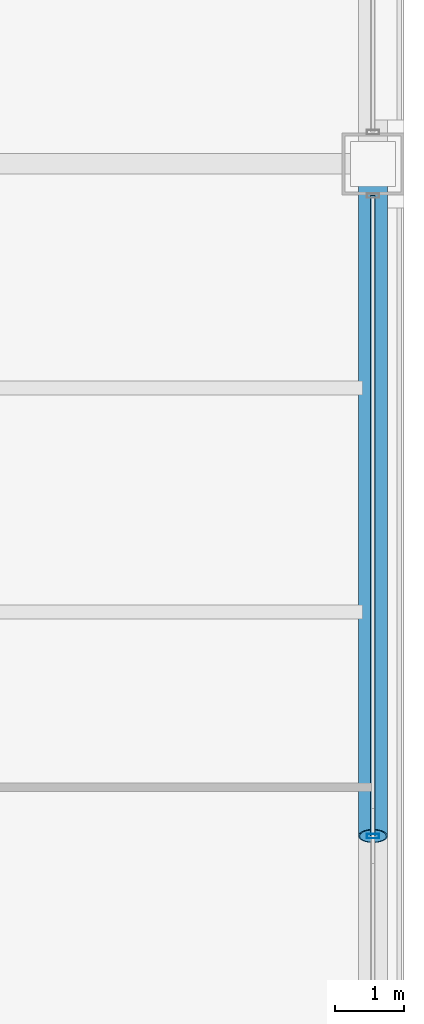
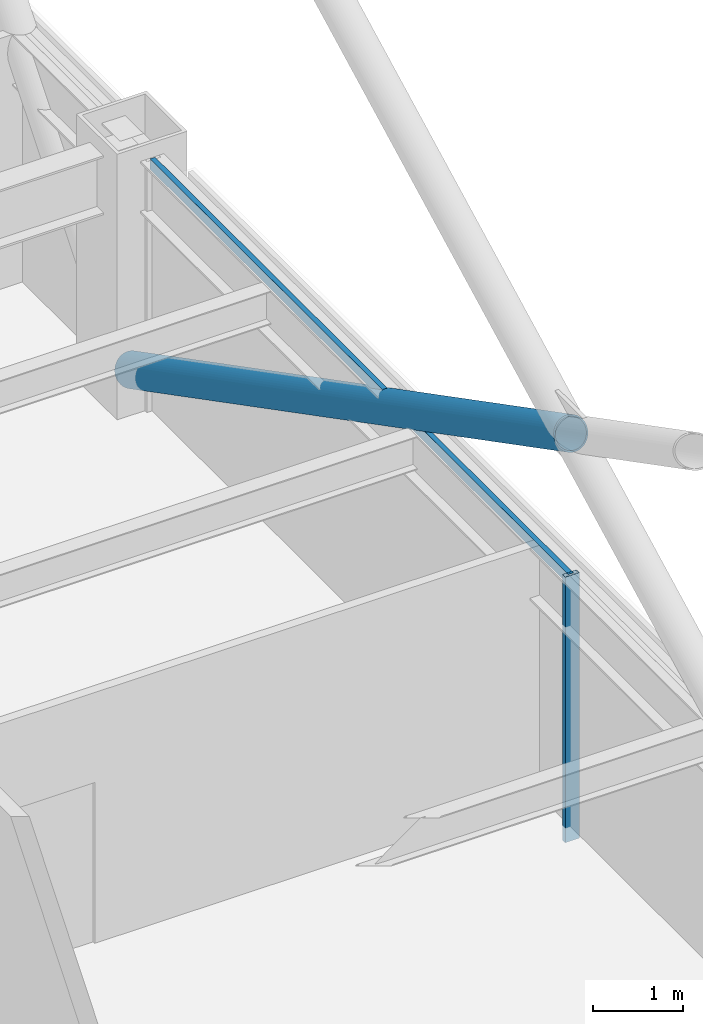
# One storey, part 13 of 30: 3 members, 1 element without a shape of its own.
"""IFC4 building model written with IfcOpenShell, lengths in metres."""

import ifcopenshell
import ifcopenshell.guid

model = None  # the IFC model being written
_history = None  # IfcOwnerHistory: only IFC2X3 demands one
_inside = {}  # id of a spatial element -> (the spatial element, [elements in it])
_under = {}  # id of a project, library or spatial element -> (it, [spatial elements below it])
_declared = {}  # id of a project -> (the project, [libraries it declares])
_typed = {}  # id of a type object -> (the type object, [elements of that type])
_made_of = {}  # id of a material, layer set ... -> (it, [elements and type objects made of it])


def new_model(schema):
    """Start an empty IFC model of exactly this schema.

    Asked for "IFC4X3", IfcOpenShell would pick the latest addendum, in which some entities
    have other attributes; the version numbers below select the first issue.
    IFC2X3 requires an IfcOwnerHistory on every rooted entity: one is made here for all.
    """
    global model, _history
    if schema == "IFC4X3":
        model = ifcopenshell.file(schema_version=(4, 3, 0, 0))
    else:
        model = ifcopenshell.file(schema=schema)
    _inside.clear()
    _under.clear()
    _declared.clear()
    _typed.clear()
    _made_of.clear()
    _history = None
    if model.schema == "IFC2X3":
        org = make("IfcOrganization", Name="unknown")
        user = make(
            "IfcPersonAndOrganization",
            ThePerson=make("IfcPerson", FamilyName="unknown"),
            TheOrganization=org,
        )
        app = make(
            "IfcApplication",
            ApplicationDeveloper=org,
            Version="unknown",
            ApplicationFullName="unknown",
            ApplicationIdentifier="unknown",
        )
        _history = make(
            "IfcOwnerHistory",
            OwningUser=user,
            OwningApplication=app,
            ChangeAction="ADDED",
            CreationDate=0,
        )
    return model


def make(cls, **values):
    """One entity of the class cls with the attributes given. An attribute that is None is left unset."""
    return model.create_entity(
        cls, **{name: value for name, value in values.items() if value is not None}
    )


def rooted(cls, **values):
    """An entity with a GlobalId (a new one), such as an element, a storey or a relation."""
    return make(cls, GlobalId=ifcopenshell.guid.new(), OwnerHistory=_history, **values)


def si_unit(unit_type, name, prefix=None):
    """IfcSIUnit, for example si_unit("LENGTHUNIT", "METRE", prefix="MILLI")."""
    return make("IfcSIUnit", UnitType=unit_type, Prefix=prefix, Name=name)


def assignment(units):
    """IfcUnitAssignment: the units of a project."""
    return None if units is None else make("IfcUnitAssignment", Units=units)


def point(xyz):
    """IfcCartesianPoint."""
    return None if xyz is None else make("IfcCartesianPoint", Coordinates=xyz)


def direction(xyz):
    """IfcDirection."""
    return None if xyz is None else make("IfcDirection", DirectionRatios=xyz)


def frame(location, z_axis=None, x_axis=None):
    """IfcAxis2Placement3D, a coordinate frame: its origin and axes. An axis left out is left unset."""
    return make(
        "IfcAxis2Placement3D",
        Location=point(location),
        Axis=direction(z_axis),
        RefDirection=direction(x_axis),
    )


def frame_2d(location, x_axis=None):
    """IfcAxis2Placement2D, a coordinate frame in the plane: its origin and x axis."""
    return make(
        "IfcAxis2Placement2D", Location=point(location), RefDirection=direction(x_axis)
    )


def origin():
    """The frame at (0, 0, 0) with its axes left unset."""
    return frame((0.0, 0.0, 0.0))


def origin_2d():
    """The frame at (0, 0) in the plane with its x axis left unset."""
    return frame_2d((0.0, 0.0))


def place(relative_to, where):
    """IfcLocalPlacement: puts the frame where relative to a parent placement (None: the world)."""
    return make(
        "IfcLocalPlacement", PlacementRelTo=relative_to, RelativePlacement=where
    )


def context(
    kind, dimensions, precision=None, world=None, true_north=None, identifier=None
):
    """IfcGeometricRepresentationContext, for example the 3D "Model" context."""
    return make(
        "IfcGeometricRepresentationContext",
        ContextIdentifier=identifier,
        ContextType=kind,
        CoordinateSpaceDimension=dimensions,
        Precision=precision,
        WorldCoordinateSystem=world,
        TrueNorth=true_north,
    )


def subcontext(parent, identifier, kind, view, scale=None):
    """IfcGeometricRepresentationSubContext, for example "Body" below "Model"."""
    return make(
        "IfcGeometricRepresentationSubContext",
        ContextIdentifier=identifier,
        ContextType=kind,
        ParentContext=parent,
        TargetScale=scale,
        TargetView=view,
    )


def project(units=None, contexts=None):
    """IfcProject with its units and contexts."""
    return rooted(
        "IfcProject",
        Name="project",
        RepresentationContexts=contexts,
        UnitsInContext=assignment(units),
    )


def spatial(cls, under=None, at=None, **own):
    """A site, building, storey or space (cls), placed at a placement, below another one or the project."""
    s = rooted(cls, ObjectPlacement=at, **own)
    if under is not None:
        _under.setdefault(under.id(), (under, []))[1].append(s)
    return s


def profile(cls, at=None, kind="AREA", **sizes):
    """A parametric profile (cls). Its sizes go by their IFC names, for example OverallWidth=200.0."""
    return make(cls, ProfileType=kind, Position=at, **sizes)


def hollow_rectangle(**sizes):
    """IfcRectangleHollowProfileDef."""
    return profile("IfcRectangleHollowProfileDef", **sizes)


def hollow_circle(**sizes):
    """IfcCircleHollowProfileDef."""
    return profile("IfcCircleHollowProfileDef", **sizes)


def extrude(swept, where, along, depth):
    """IfcExtrudedAreaSolid: the profile swept, set in the frame where, extruded along a direction by depth."""
    return make(
        "IfcExtrudedAreaSolid",
        SweptArea=swept,
        Position=where,
        ExtrudedDirection=direction(along),
        Depth=depth,
    )


def shape(context_of_items, identifier, shape_type, items):
    """IfcShapeRepresentation: the items that make up one representation, for example the "Body"."""
    return make(
        "IfcShapeRepresentation",
        ContextOfItems=context_of_items,
        RepresentationIdentifier=identifier,
        RepresentationType=shape_type,
        Items=items,
    )


def material(Name=None, Category=None):
    """IfcMaterial."""
    return make("IfcMaterial", Name=Name, Category=Category)


def layer(
    of_material, thickness, ventilated=None, Name=None, Category=None, Priority=None
):
    """IfcMaterialLayer: one layer of a wall or slab, of a material (None: an air gap)."""
    return make(
        "IfcMaterialLayer",
        Material=of_material,
        LayerThickness=thickness,
        IsVentilated=ventilated,
        Name=Name,
        Category=Category,
        Priority=Priority,
    )


def layer_set(layers, Name=None):
    """IfcMaterialLayerSet."""
    return make("IfcMaterialLayerSet", MaterialLayers=layers, LayerSetName=Name)


def material_profile(
    of_material, cross_section, Name=None, Category=None, Priority=None
):
    """IfcMaterialProfile: a cross section and its material."""
    return make(
        "IfcMaterialProfile",
        Name=Name,
        Material=of_material,
        Profile=cross_section,
        Priority=Priority,
        Category=Category,
    )


def profile_set(profiles, Name=None, composite=None):
    """IfcMaterialProfileSet."""
    return make(
        "IfcMaterialProfileSet",
        Name=Name,
        MaterialProfiles=profiles,
        CompositeProfile=composite,
    )


def made_of(thing, what):
    """Note that an element or type object is made of a material, layer set ...; save() writes the relation."""
    if what is not None:
        _made_of.setdefault(what.id(), (what, []))[1].append(thing)
    return thing


def type_object(cls, material=None, **own):
    """A type object (cls), such as IfcWallType, which elements share."""
    return made_of(rooted(cls, **own), material)


def element(
    cls,
    number,
    at=None,
    inside=None,
    cuts=None,
    type_object=None,
    material=None,
    context=None,
    identifier="Body",
    shape_type=None,
    held_by="IfcProductDefinitionShape",
    body=None,
    shapes=None,
    **own,
):
    """One element of the class cls, such as IfcWall. Its Tag is "e" and its number.

    at: its placement. inside: the storey or other place that contains it. cuts: it is an
    opening in that element (IfcRelVoidsElement). A single representation is given by context,
    identifier, shape_type and body (its items); several are given by shapes. held_by: the class
    of the entity that holds the representations. save() writes the other relations.
    """
    e = rooted(cls, Tag="e%d" % number, ObjectPlacement=at, **own)
    if body is not None:
        shapes = [shape(context, identifier, shape_type, body)]
    if shapes is not None:
        e.Representation = make(held_by, Representations=shapes)
    if inside is not None:
        _inside.setdefault(inside.id(), (inside, []))[1].append(e)
    if cuts is not None:
        rooted(
            "IfcRelVoidsElement", RelatingBuildingElement=cuts, RelatedOpeningElement=e
        )
    if type_object is not None:
        _typed.setdefault(type_object.id(), (type_object, []))[1].append(e)
    return made_of(e, material)


def aggregate(whole, parts):
    """IfcRelAggregates: a whole, such as a stair, and the parts it consists of."""
    return rooted("IfcRelAggregates", RelatingObject=whole, RelatedObjects=parts)


def save(model, path):
    """Write the relations noted so far, then the file.

    IfcRelAggregates (storeys below a building ...), IfcRelContainedInSpatialStructure (elements
    in a storey), IfcRelDefinesByType, IfcRelAssociatesMaterial and IfcRelDeclares: one each for
    every whole, place, type object, material and project.
    """
    for whole, parts in _under.values():
        aggregate(whole, parts)
    for where, things in _inside.values():
        rooted(
            "IfcRelContainedInSpatialStructure",
            RelatedElements=things,
            RelatingStructure=where,
        )
    for kind, things in _typed.values():
        rooted("IfcRelDefinesByType", RelatedObjects=things, RelatingType=kind)
    for what, things in _made_of.values():
        rooted("IfcRelAssociatesMaterial", RelatedObjects=things, RelatingMaterial=what)
    for by, libraries in _declared.values():
        rooted("IfcRelDeclares", RelatingContext=by, RelatedDefinitions=libraries)
    model.write(path)


model = new_model("IFC4")

# Units and contexts
model_context = context("Model", 3, precision=1e-05, world=origin(), true_north=direction((0.0, 1.0)))
body_context = subcontext(model_context, "Body", "Model", "MODEL_VIEW")
ifc_project = project(units=[si_unit("LENGTHUNIT", "METRE"), si_unit("AREAUNIT", "SQUARE_METRE"), si_unit("VOLUMEUNIT", "CUBIC_METRE"), si_unit("PLANEANGLEUNIT", "RADIAN"), si_unit("MASSUNIT", "GRAM", prefix="KILO")], contexts=[model_context])

# Site, building, storey
site_placement = place(None, origin())
site = spatial("IfcSite", under=ifc_project, at=site_placement, CompositionType="ELEMENT")
building_placement = place(site_placement, origin())
building = spatial("IfcBuilding", under=site, at=building_placement, Name="Brelmoor Portico Tower", CompositionType="ELEMENT")
storey_placement = place(building_placement, frame((0.0, 0.0, 56.39990234375)))
storey = spatial("IfcBuildingStorey", under=building, at=storey_placement, Name="L14", CompositionType="ELEMENT", Elevation=56.39990234375)

# Member
ifc_material_1 = material(Name="Steel Q355B", Category="steel")
ifc_material_profile_1 = material_profile(ifc_material_1, hollow_circle(Radius=0.212890625, WallThickness=0.02001953125, at=origin_2d()), Name="CHS 426x20")
ifc_profile_set_1 = profile_set([ifc_material_profile_1], Name="Steel Q355B")
member_type_1 = type_object("IfcMemberType", Name="MB-BELT-DIAG1", PredefinedType="BRACE", material=ifc_profile_set_1)
member_1_placement = place(storey_placement, frame((24.550048828125, 9.75, 0.25), z_axis=(0.0, -0.887959386012, 0.459921872488), x_axis=(1.0, 0.0, 0.0)))
element("IfcMember", 1, at=member_1_placement, inside=storey, type_object=member_type_1, Name="L14 Split Mega-X Brace 032B1", PredefinedType="BRACE", context=body_context, shape_type="SweptSolid", body=[
    extrude(hollow_circle(Radius=0.212890625, WallThickness=0.02001953125, at=origin_2d()), origin(), (0.0, 0.0, 1.0), 10.980224609375),
])

# Curtain wall, members
ifc_material_2 = material(Name="Anodised Aluminium Alloy 6063-T6", Category="aluminium")
ifc_layer = layer(ifc_material_2, 0.179931640625)
ifc_layer_set = layer_set([ifc_layer], Name="Anodised Aluminium Alloy 6063-T6")
curtain_wall_type = type_object("IfcCurtainWallType", Name="CW-TOWER-Z1-XB", PredefinedType="NOTDEFINED", material=ifc_layer_set)
curtain_wall_placement = place(storey_placement, origin())
curtain_wall = element("IfcCurtainWall", 2, at=curtain_wall_placement, inside=storey, type_object=curtain_wall_type, Name="L14 Curtain Wall CW-L14-04-2", PredefinedType="NOTDEFINED")
ifc_material_profile_2 = material_profile(ifc_material_2, hollow_rectangle(XDim=0.06494140625, YDim=0.179931640625, WallThickness=0.00390625, at=origin_2d()), Name="ALU MULLION 65x180")
ifc_profile_set_2 = profile_set([ifc_material_profile_2], Name="Anodised Aluminium Alloy 6063-T6")
member_type_2 = type_object("IfcMemberType", Name="MB-CW-MULL-180", PredefinedType="MULLION", material=ifc_profile_set_2)
member_2_placement = place(storey_placement, frame((24.550048828125, 0.0, -0.199951171875), z_axis=(0.0, 0.0, 1.0), x_axis=(0.0, 1.0, 0.0)))
member_2 = element("IfcMember", 3, at=member_2_placement, type_object=member_type_2, Name="CW-L14-04-2 Mullion 01", PredefinedType="MULLION", context=body_context, shape_type="SweptSolid", body=[
    extrude(hollow_rectangle(XDim=0.06494140625, YDim=0.179931640625, WallThickness=0.00390625, at=origin_2d()), origin(), (0.0, 0.0, 1.0), 3.60009765625),
])
ifc_material_profile_3 = material_profile(ifc_material_2, hollow_rectangle(XDim=0.06494140625, YDim=0.139892578125, WallThickness=0.00390625, at=origin_2d()), Name="ALU TRANSOM 65x140")
ifc_profile_set_3 = profile_set([ifc_material_profile_3], Name="Anodised Aluminium Alloy 6063-T6")
member_type_3 = type_object("IfcMemberType", Name="MB-CW-TRAN-140", PredefinedType="USERDEFINED", material=ifc_profile_set_3)
member_3_placement = place(storey_placement, frame((24.550048828125, 0.0, 3.330078125), z_axis=(0.0, 1.0, 0.0), x_axis=(-1.0, 0.0, 0.0)))
member_3 = element("IfcMember", 4, at=member_3_placement, type_object=member_type_3, Name="CW-L14-04-2 Transom 1-01", ObjectType="TRANSOM", PredefinedType="USERDEFINED", context=body_context, shape_type="SweptSolid", body=[
    extrude(hollow_rectangle(XDim=0.06494140625, YDim=0.139892578125, WallThickness=0.00390625, at=origin_2d()), origin(), (0.0, 0.0, 1.0), 9.2900390625),
])
aggregate(curtain_wall, [member_2, member_3])

save(model, "model.ifc")
